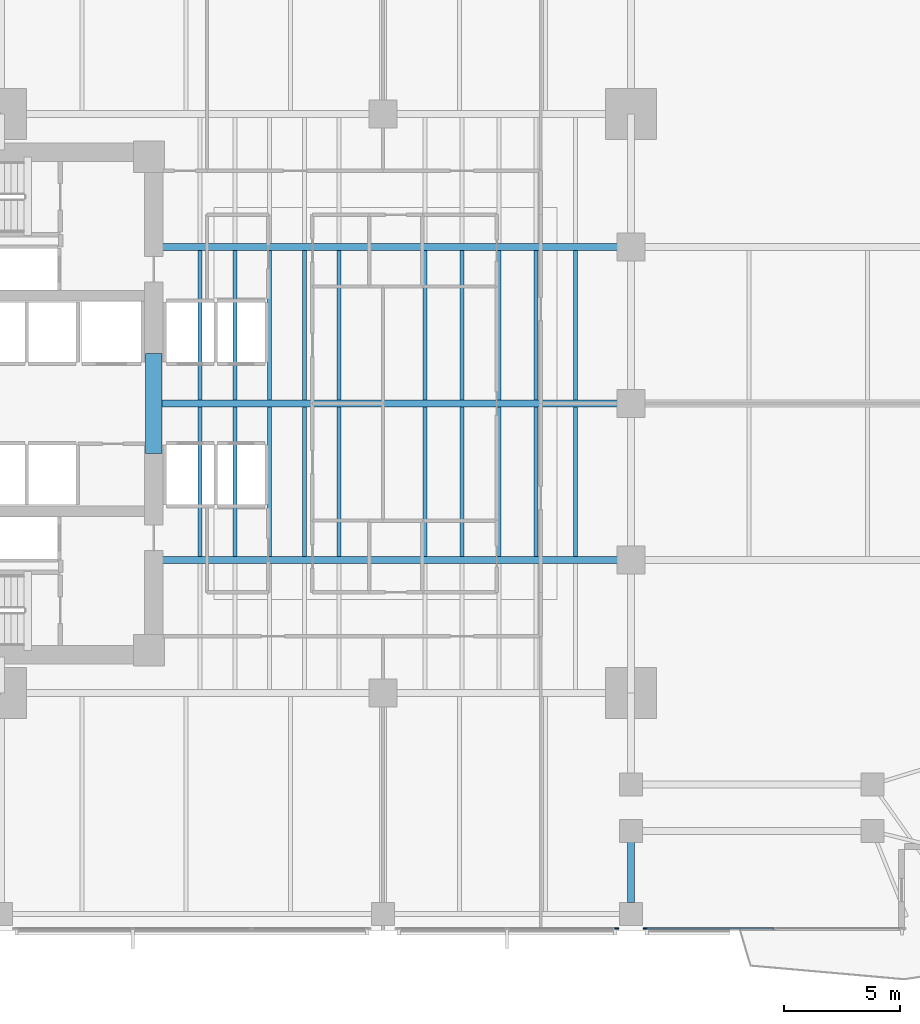
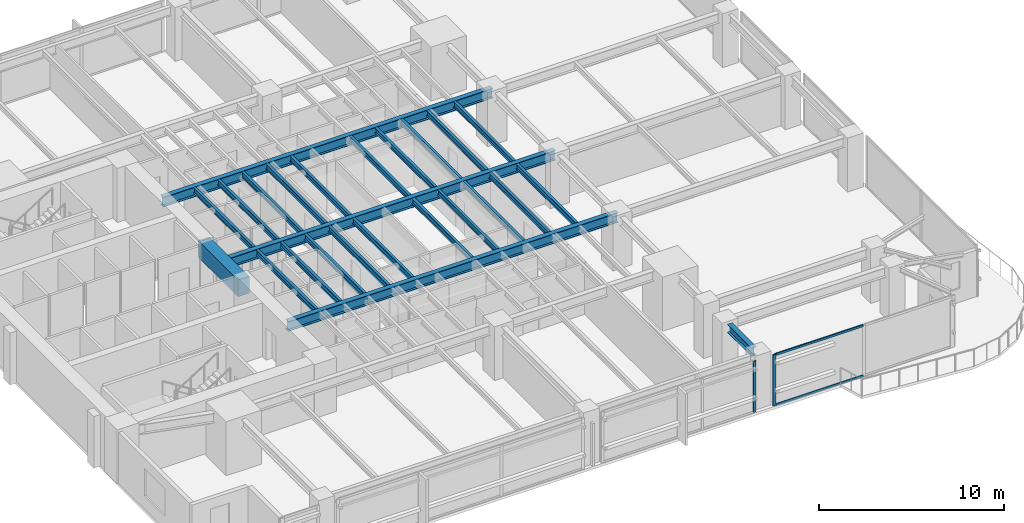
# One storey, part 3 of 15: 25 beams, 4 members, 2 elements without a shape of their own.
"""IFC4 building model written with IfcOpenShell, lengths in metres."""

from ifc_helpers import new_model, si_unit, direction, frame, origin, origin_2d, place, context, subcontext, project, spatial, rectangle, i_section, extrude, material, layer, layer_set, material_profile, profile_set, type_object, element, aggregate, save


model = new_model("IFC4")

# Units and contexts
model_context = context("Model", 3, precision=1e-05, world=origin(), true_north=direction((0.0, 1.0)))
body_context = subcontext(model_context, "Body", "Model", "MODEL_VIEW")
ifc_project = project(units=[si_unit("LENGTHUNIT", "METRE"), si_unit("AREAUNIT", "SQUARE_METRE"), si_unit("VOLUMEUNIT", "CUBIC_METRE"), si_unit("PLANEANGLEUNIT", "RADIAN"), si_unit("MASSUNIT", "GRAM", prefix="KILO")], contexts=[model_context])

# Site, building, storey
site_placement = place(None, origin())
site = spatial("IfcSite", under=ifc_project, at=site_placement, CompositionType="ELEMENT")
building_placement = place(site_placement, origin())
building = spatial("IfcBuilding", under=site, at=building_placement, Name="Kinhvarn Gate Tower", CompositionType="ELEMENT")
storey_placement = place(building_placement, frame((0.0, 0.0, 39.800048828125)))
storey = spatial("IfcBuildingStorey", under=building, at=storey_placement, Name="L09", CompositionType="ELEMENT", Elevation=39.800048828125)

# Beam
ifc_material_1 = material(Name="Concrete C70/85", Category="concrete")
ifc_material_profile_1 = material_profile(ifc_material_1, rectangle(XDim=0.699951171875, YDim=1.10009765625, at=origin_2d()), Name="RC 700x1100")
ifc_profile_set_1 = profile_set([ifc_material_profile_1], Name="Concrete C70/85")
beam_type_1 = type_object("IfcBeamType", Name="BM-CB-1100", PredefinedType="LINTEL", material=ifc_profile_set_1)
beam_1_placement = place(storey_placement, frame((17.60009765625, 23.10009765625, 2.820068359375), z_axis=(0.0, 1.0, 0.0), x_axis=(-1.0, 0.0, 0.0)))
element("IfcBeam", 1, at=beam_1_placement, inside=storey, type_object=beam_type_1, Name="Core East Portal Coupling Beam L09", PredefinedType="LINTEL", context=body_context, shape_type="SweptSolid", body=[
    extrude(rectangle(XDim=0.699951171875, YDim=1.10009765625, at=origin_2d()), origin(), (0.0, 0.0, 1.0), 4.2998046875),
])

# Curtain wall, member
ifc_material_2 = material(Name="Anodised aluminium AW-6063", Category="aluminium")
ifc_layer = layer(ifc_material_2, 0.179931640625)
ifc_layer_set = layer_set([ifc_layer], Name="Anodised aluminium AW-6063")
curtain_wall_type = type_object("IfcCurtainWallType", Name="CW-SYS-2", PredefinedType="NOTDEFINED", material=ifc_layer_set)
curtain_wall_1_placement = place(storey_placement, origin())
curtain_wall_1 = element("IfcCurtainWall", 2, at=curtain_wall_1_placement, inside=storey, type_object=curtain_wall_type, Name="Curtain Wall CW2 (L09)", PredefinedType="NOTDEFINED")
ifc_material_profile_2 = material_profile(ifc_material_2, rectangle(XDim=0.070068359375, YDim=0.179931640625, at=origin_2d()), Name="ALU 70x180")
ifc_profile_set_2 = profile_set([ifc_material_profile_2], Name="Anodised aluminium AW-6063")
member_type_1 = type_object("IfcMemberType", Name="CW-MUL-180", PredefinedType="MULLION", material=ifc_profile_set_2)
member_1_placement = place(storey_placement, frame((37.5849609375, 2.590087890625, 0.0), z_axis=(0.0, 0.0, 1.0), x_axis=(0.0, 1.0, 0.0)))
member_1 = element("IfcMember", 3, at=member_1_placement, type_object=member_type_1, Name="CW2 mullion 3", PredefinedType="MULLION", context=body_context, shape_type="SweptSolid", body=[
    extrude(rectangle(XDim=0.070068359375, YDim=0.179931640625, at=origin_2d()), origin(), (0.0, 0.0, 1.0), 3.369873046875),
])
aggregate(curtain_wall_1, [member_1])

# Curtain wall, members
curtain_wall_2_placement = place(storey_placement, origin())
curtain_wall_2 = element("IfcCurtainWall", 4, at=curtain_wall_2_placement, inside=storey, type_object=curtain_wall_type, Name="Curtain Wall CW2 (L09)", PredefinedType="NOTDEFINED")
member_2_placement = place(storey_placement, frame((38.81494140625, 2.590087890625, 0.0), z_axis=(0.0, 0.0, 1.0), x_axis=(0.0, 1.0, 0.0)))
member_2 = element("IfcMember", 5, at=member_2_placement, type_object=member_type_1, Name="CW2 mullion 1", PredefinedType="MULLION", context=body_context, shape_type="SweptSolid", body=[
    extrude(rectangle(XDim=0.070068359375, YDim=0.179931640625, at=origin_2d()), origin(), (0.0, 0.0, 1.0), 3.369873046875),
])
ifc_material_profile_3 = material_profile(ifc_material_2, rectangle(XDim=0.070068359375, YDim=0.139892578125, at=origin_2d()), Name="ALU 70x140")
ifc_profile_set_3 = profile_set([ifc_material_profile_3], Name="Anodised aluminium AW-6063")
member_type_2 = type_object("IfcMemberType", Name="CW-TRN-140", PredefinedType="USERDEFINED", material=ifc_profile_set_3)
member_3_placement = place(storey_placement, frame((38.85009765625, 2.590087890625, 0.034912109375), z_axis=(1.0, 0.0, 0.0), x_axis=(0.0, 1.0, 0.0)))
member_3 = element("IfcMember", 6, at=member_3_placement, type_object=member_type_2, Name="CW2 transom 1.1", ObjectType="TRANSOM", PredefinedType="USERDEFINED", context=body_context, shape_type="SweptSolid", body=[
    extrude(rectangle(XDim=0.070068359375, YDim=0.139892578125, at=origin_2d()), origin(), (0.0, 0.0, 1.0), 5.5048828125),
])
member_4_placement = place(storey_placement, frame((38.85009765625, 2.590087890625, 3.3349609375), z_axis=(1.0, 0.0, 0.0), x_axis=(0.0, 1.0, 0.0)))
member_4 = element("IfcMember", 7, at=member_4_placement, type_object=member_type_2, Name="CW2 transom 1.2", ObjectType="TRANSOM", PredefinedType="USERDEFINED", context=body_context, shape_type="SweptSolid", body=[
    extrude(rectangle(XDim=0.070068359375, YDim=0.139892578125, at=origin_2d()), origin(), (0.0, 0.0, 1.0), 5.5048828125),
])
aggregate(curtain_wall_2, [member_2, member_3, member_4])

# Beams
ifc_material_3 = material(Name="Steel S355", Category="steel")
ifc_material_profile_4 = material_profile(ifc_material_3, i_section(OverallWidth=0.300048828125, OverallDepth=0.550048828125, WebThickness=0.014892578125, FlangeThickness=0.029052734375, at=origin_2d()), Name="HEB 550")
ifc_profile_set_4 = profile_set([ifc_material_profile_4], Name="Steel S355")
beam_type_2 = type_object("IfcBeamType", Name="STL-HEB550", PredefinedType="BEAM", material=ifc_profile_set_4)
beam_2_placement = place(storey_placement, frame((38.199951171875, 3.705078125, 3.094970703125), z_axis=(0.0, 1.0, 0.0), x_axis=(-1.0, 0.0, 0.0)))
element("IfcBeam", 8, at=beam_2_placement, inside=storey, type_object=beam_type_2, Name="Floor Beam PG-15 (L09 MCE-S-A0)", PredefinedType="BEAM", context=body_context, shape_type="SweptSolid", body=[
    extrude(i_section(OverallWidth=0.300048828125, OverallDepth=0.550048828125, WebThickness=0.014892578125, FlangeThickness=0.029052734375, at=origin_2d()), origin(), (0.0, 0.0, 1.0), 2.60986328125),
])
ifc_material_profile_5 = material_profile(ifc_material_3, i_section(OverallWidth=0.300048828125, OverallDepth=0.64990234375, WebThickness=0.01611328125, FlangeThickness=0.031005859375, at=origin_2d()), Name="HEB 650")
ifc_profile_set_5 = profile_set([ifc_material_profile_5], Name="Steel S355")
beam_type_3 = type_object("IfcBeamType", Name="STL-HEB650", PredefinedType="BEAM", material=ifc_profile_set_5)
beam_3_placement = place(storey_placement, frame((17.64990234375, 18.5, 3.044921875), z_axis=(1.0, 0.0, 0.0), x_axis=(0.0, 1.0, 0.0)))
element("IfcBeam", 9, at=beam_3_placement, inside=storey, type_object=beam_type_3, Name="Floor Beam PG-17 (L09 EW1-Y18)", PredefinedType="BEAM", context=body_context, shape_type="SweptSolid", body=[
    extrude(i_section(OverallWidth=0.300048828125, OverallDepth=0.64990234375, WebThickness=0.01611328125, FlangeThickness=0.031005859375, at=origin_2d()), origin(), (0.0, 0.0, 1.0), 20.550048828125),
])
beam_4_placement = place(storey_placement, frame((17.949951171875, 25.25, 3.044921875), z_axis=(1.0, 0.0, 0.0), x_axis=(0.0, 1.0, 0.0)))
element("IfcBeam", 10, at=beam_4_placement, inside=storey, type_object=beam_type_3, Name="Floor Beam PG-17 (L09 EW1-Y25)", PredefinedType="BEAM", context=body_context, shape_type="SweptSolid", body=[
    extrude(i_section(OverallWidth=0.300048828125, OverallDepth=0.64990234375, WebThickness=0.01611328125, FlangeThickness=0.031005859375, at=origin_2d()), origin(), (0.0, 0.0, 1.0), 20.25),
])
beam_5_placement = place(storey_placement, frame((17.64990234375, 32.0, 3.044921875), z_axis=(1.0, 0.0, 0.0), x_axis=(0.0, 1.0, 0.0)))
element("IfcBeam", 11, at=beam_5_placement, inside=storey, type_object=beam_type_3, Name="Floor Beam PG-17 (L09 EW1-Y32)", PredefinedType="BEAM", context=body_context, shape_type="SweptSolid", body=[
    extrude(i_section(OverallWidth=0.300048828125, OverallDepth=0.64990234375, WebThickness=0.01611328125, FlangeThickness=0.031005859375, at=origin_2d()), origin(), (0.0, 0.0, 1.0), 20.550048828125),
])
ifc_material_profile_6 = material_profile(ifc_material_3, i_section(OverallWidth=0.169921875, OverallDepth=0.360107421875, WebThickness=0.008056640625, FlangeThickness=0.0126953125, at=origin_2d()), Name="IPE 360")
ifc_profile_set_6 = profile_set([ifc_material_profile_6], Name="Steel S355")
beam_type_4 = type_object("IfcBeamType", Name="STL-IPE360", PredefinedType="JOIST", material=ifc_profile_set_6)
for number, where, z_axis, x_axis, name in (
    (12, (19.60009765625, 18.64990234375, 3.18994140625), (0.0, 1.0, 0.0), (-1.0, 0.0, 0.0), "Floor Joist SB-04 (L09 JC-X196-1)"),
    (13, (19.60009765625, 25.39990234375, 3.18994140625), (0.0, 1.0, 0.0), (-1.0, 0.0, 0.0), "Floor Joist SB-04 (L09 JC-X196-2)"),
    (14, (21.10009765625, 18.64990234375, 3.18994140625), (0.0, 1.0, 0.0), (-1.0, 0.0, 0.0), "Floor Joist SB-04 (L09 JC-X211-1)"),
    (15, (21.10009765625, 25.39990234375, 3.18994140625), (0.0, 1.0, 0.0), (-1.0, 0.0, 0.0), "Floor Joist SB-04 (L09 JC-X211-2)"),
    (16, (22.60009765625, 18.64990234375, 3.18994140625), (0.0, 1.0, 0.0), (-1.0, 0.0, 0.0), "Floor Joist SB-04 (L09 JC-X226-1)"),
    (17, (22.60009765625, 25.39990234375, 3.18994140625), (0.0, 1.0, 0.0), (-1.0, 0.0, 0.0), "Floor Joist SB-04 (L09 JC-X226-2)"),
    (18, (24.10009765625, 18.64990234375, 3.18994140625), (0.0, 1.0, 0.0), (-1.0, 0.0, 0.0), "Floor Joist SB-04 (L09 JC-X241-1)"),
    (19, (24.10009765625, 25.39990234375, 3.18994140625), (0.0, 1.0, 0.0), (-1.0, 0.0, 0.0), "Floor Joist SB-04 (L09 JC-X241-2)"),
    (20, (25.60009765625, 18.64990234375, 3.18994140625), (0.0, 1.0, 0.0), (-1.0, 0.0, 0.0), "Floor Joist SB-04 (L09 JC-X256-1)"),
    (21, (25.60009765625, 25.39990234375, 3.18994140625), (0.0, 1.0, 0.0), (-1.0, 0.0, 0.0), "Floor Joist SB-04 (L09 JC-X256-2)"),
    (22, (29.300048828125, 18.64990234375, 3.18994140625), (0.0, 1.0, 0.0), (-1.0, 0.0, 0.0), "Floor Joist SB-04 (L09 JC-X293-1)"),
    (23, (29.300048828125, 25.39990234375, 3.18994140625), (0.0, 1.0, 0.0), (-1.0, 0.0, 0.0), "Floor Joist SB-04 (L09 JC-X293-2)"),
    (24, (30.89990234375, 18.64990234375, 3.18994140625), (0.0, 1.0, 0.0), (-1.0, 0.0, 0.0), "Floor Joist SB-04 (L09 JC-X309-1)"),
    (25, (30.89990234375, 25.39990234375, 3.18994140625), (0.0, 1.0, 0.0), (-1.0, 0.0, 0.0), "Floor Joist SB-04 (L09 JC-X309-2)"),
    (26, (32.5, 18.64990234375, 3.18994140625), (0.0, 1.0, 0.0), (-1.0, 0.0, 0.0), "Floor Joist SB-04 (L09 JC-X325-1)"),
    (27, (32.5, 25.39990234375, 3.18994140625), (0.0, 1.0, 0.0), (-1.0, 0.0, 0.0), "Floor Joist SB-04 (L09 JC-X325-2)"),
    (28, (34.10009765625, 18.64990234375, 3.18994140625), (0.0, 1.0, 0.0), (-1.0, 0.0, 0.0), "Floor Joist SB-04 (L09 JC-X341-1)"),
    (29, (34.10009765625, 25.39990234375, 3.18994140625), (0.0, 1.0, 0.0), (-1.0, 0.0, 0.0), "Floor Joist SB-04 (L09 JC-X341-2)"),
    (30, (35.800048828125, 18.64990234375, 3.18994140625), (0.0, 1.0, 0.0), (-1.0, 0.0, 0.0), "Floor Joist SB-04 (L09 JC-X358-1)"),
    (31, (35.800048828125, 25.39990234375, 3.18994140625), (0.0, 1.0, 0.0), (-1.0, 0.0, 0.0), "Floor Joist SB-04 (L09 JC-X358-2)"),
):
    element("IfcBeam", number, at=place(storey_placement, frame(where, z_axis=z_axis, x_axis=x_axis)), inside=storey, type_object=beam_type_4, Name=name, PredefinedType="JOIST", context=body_context, shape_type="SweptSolid", body=[
        extrude(i_section(OverallWidth=0.169921875, OverallDepth=0.360107421875, WebThickness=0.008056640625, FlangeThickness=0.0126953125, at=origin_2d()), origin(), (0.0, 0.0, 1.0), 6.4501953125),
    ])

save(model, "model.ifc")
